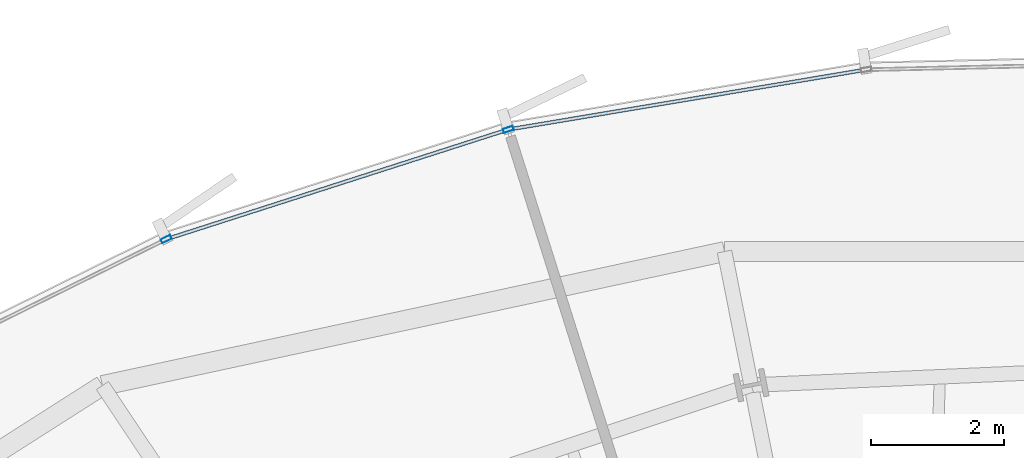
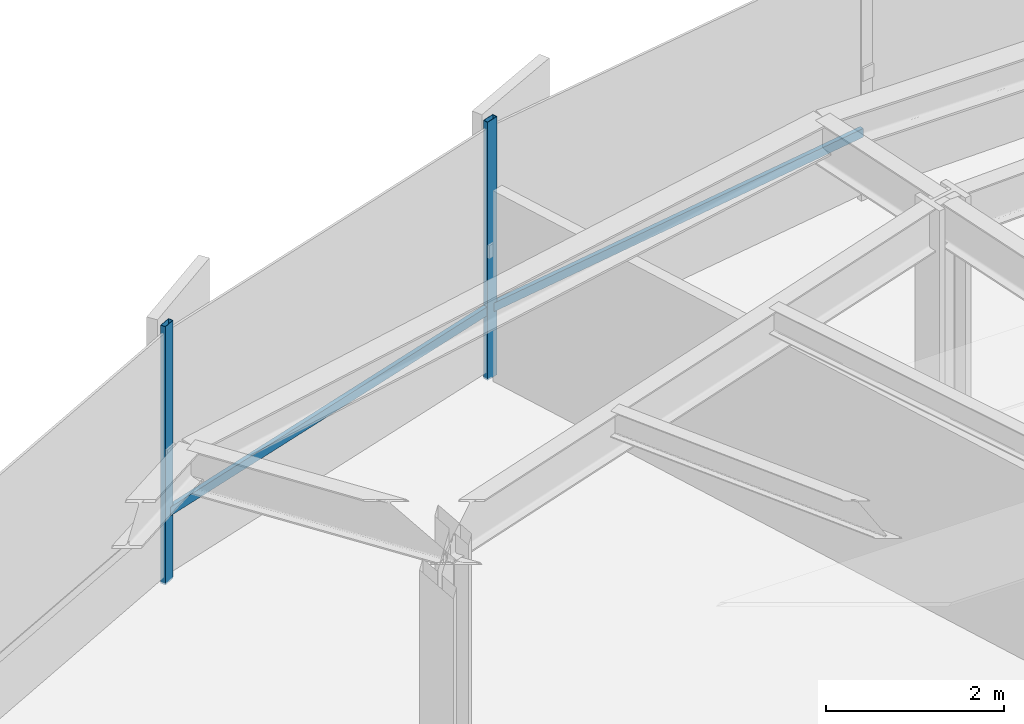
# One storey, part 21 of 38: 4 members, 1 element without a shape of its own.
"""IFC4 building model written with IfcOpenShell, lengths in metres."""

from ifc_helpers import new_model, si_unit, direction, frame, origin, origin_2d, place, context, subcontext, project, spatial, hollow_rectangle, extrude, source, transform, mapped, material, layer, layer_set, material_profile, profile_set, type_object, element, aggregate, save


model = new_model("IFC4")

# Units and contexts
model_context = context("Model", 3, precision=1e-05, world=origin(), true_north=direction((0.0, 1.0)))
body_context = subcontext(model_context, "Body", "Model", "MODEL_VIEW")
ifc_project = project(units=[si_unit("LENGTHUNIT", "METRE"), si_unit("AREAUNIT", "SQUARE_METRE"), si_unit("VOLUMEUNIT", "CUBIC_METRE"), si_unit("PLANEANGLEUNIT", "RADIAN"), si_unit("MASSUNIT", "GRAM", prefix="KILO"), si_unit("THERMODYNAMICTEMPERATUREUNIT", "KELVIN")], contexts=[model_context])

# Site, building, storey
site_placement = place(None, origin())
site = spatial("IfcSite", under=ifc_project, at=site_placement, CompositionType="ELEMENT")
building_placement = place(site_placement, origin())
building = spatial("IfcBuilding", under=site, at=building_placement, Name="Kethvar Cultural Tower", CompositionType="ELEMENT")
storey_placement = place(building_placement, frame((0.0, 0.0, 52.39990234375)))
storey = spatial("IfcBuildingStorey", under=building, at=storey_placement, Name="L12", CompositionType="ELEMENT", Elevation=52.39990234375)

# Curtain wall, members
ifc_material = material(Name="Aluminium 6063-T6", Category="aluminium")
ifc_layer = layer(ifc_material, 0.179931640625, Name="Aluminium 6063-T6", Category="aluminium")
ifc_layer_set = layer_set([ifc_layer], Name="Aluminium 6063-T6 (180 mm)")
curtain_wall_type = type_object("IfcCurtainWallType", Name="CW-SYS-02-Z1", PredefinedType="NOTDEFINED", material=ifc_layer_set)
curtain_wall_placement = place(storey_placement, origin())
curtain_wall = element("IfcCurtainWall", 1, at=curtain_wall_placement, inside=storey, type_object=curtain_wall_type, Name="L12 Curtain Wall Run 02", PredefinedType="NOTDEFINED")
ifc_material_profile_1 = material_profile(ifc_material, hollow_rectangle(XDim=0.06494140625, YDim=0.159912109375, WallThickness=0.0048828125, at=origin_2d()), Name="Aluminium 6063-T6 — RHS160x65x5")
ifc_profile_set_1 = profile_set([ifc_material_profile_1], Name="Aluminium 6063-T6 — RHS160x65x5")
member_type_1 = type_object("IfcMemberType", Name="CW-SYS-02-Z1-MUL", PredefinedType="MULLION", material=ifc_profile_set_1)
shared_shape_1 = source(origin(), body_context, "Body", "SweptSolid", [
    extrude(hollow_rectangle(XDim=0.06494140625, YDim=0.159912109375, WallThickness=0.0048828125, at=origin_2d()), origin(), (0.0, 0.0, 1.0), 3.550048828125),
])
member_1_placement = place(storey_placement, frame((38.990478515625, 52.51220703125, 0.0), z_axis=(0.0, 0.0, 1.0), x_axis=(0.30552912238, -0.952182732136, 0.0)))
member_1 = element("IfcMember", 2, at=member_1_placement, type_object=member_type_1, Name="CW-L12-R02 Mullion 5", PredefinedType="MULLION", context=body_context, shape_type="MappedRepresentation", body=[
    mapped(shared_shape_1, transform((0.0, 0.0, 0.0), scale=1.0)),
])
member_2_placement = place(storey_placement, frame((33.83154296875, 50.8583984375, 0.0), z_axis=(0.0, 0.0, 1.0), x_axis=(0.443384096623, -0.896331714747, 0.0)))
member_2 = element("IfcMember", 3, at=member_2_placement, type_object=member_type_1, Name="CW-L12-R02 Mullion 6", PredefinedType="MULLION", context=body_context, shape_type="MappedRepresentation", body=[
    mapped(shared_shape_1, transform((0.0, 0.0, 0.0), scale=1.0)),
])
ifc_material_profile_2 = material_profile(ifc_material, hollow_rectangle(XDim=0.054931640625, YDim=0.1201171875, WallThickness=0.00390625, at=origin_2d()), Name="Aluminium 6063-T6 — RHS120x55x4")
ifc_profile_set_2 = profile_set([ifc_material_profile_2], Name="Aluminium 6063-T6 — RHS120x55x4")
member_type_2 = type_object("IfcMemberType", Name="CW-SYS-02-Z1-TRN", PredefinedType="USERDEFINED", material=ifc_profile_set_2)
shared_shape_2 = source(origin(), body_context, "Body", "SweptSolid", [
    extrude(hollow_rectangle(XDim=0.054931640625, YDim=0.1201171875, WallThickness=0.00390625, at=origin_2d()), origin(), (0.0, 0.0, 1.0), 5.3955078125),
])
member_3_placement = place(storey_placement, frame((44.34130859375, 53.406494140625, 0.9501953125), z_axis=(-0.986282410883, -0.165066671326, 0.0), x_axis=(0.165066671326, -0.986282410883, 0.0)))
member_3 = element("IfcMember", 4, at=member_3_placement, type_object=member_type_2, Name="CW-L12-R02 Transom 4", ObjectType="TRANSOM", PredefinedType="USERDEFINED", context=body_context, shape_type="MappedRepresentation", body=[
    mapped(shared_shape_2, transform((0.0, 0.0, 0.0), scale=1.0)),
])
shared_shape_3 = source(origin(), body_context, "Body", "SweptSolid", [
    extrude(hollow_rectangle(XDim=0.054931640625, YDim=0.1201171875, WallThickness=0.00390625, at=origin_2d()), origin(), (0.0, 0.0, 1.0), 5.341552734375),
])
member_4_placement = place(storey_placement, frame((38.94580078125, 52.497802734375, 0.9501953125), z_axis=(-0.952192490395, -0.305498709058, 0.0), x_axis=(0.305498709058, -0.952192490395, 0.0)))
member_4 = element("IfcMember", 5, at=member_4_placement, type_object=member_type_2, Name="CW-L12-R02 Transom 5", ObjectType="TRANSOM", PredefinedType="USERDEFINED", context=body_context, shape_type="MappedRepresentation", body=[
    mapped(shared_shape_3, transform((0.0, 0.0, 0.0), scale=1.0)),
])
aggregate(curtain_wall, [member_1, member_2, member_3, member_4])

save(model, "model.ifc")
